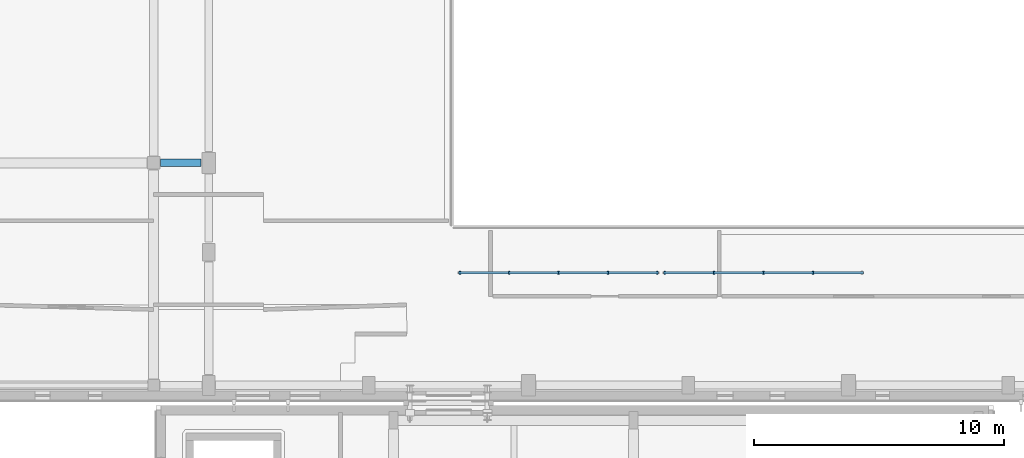
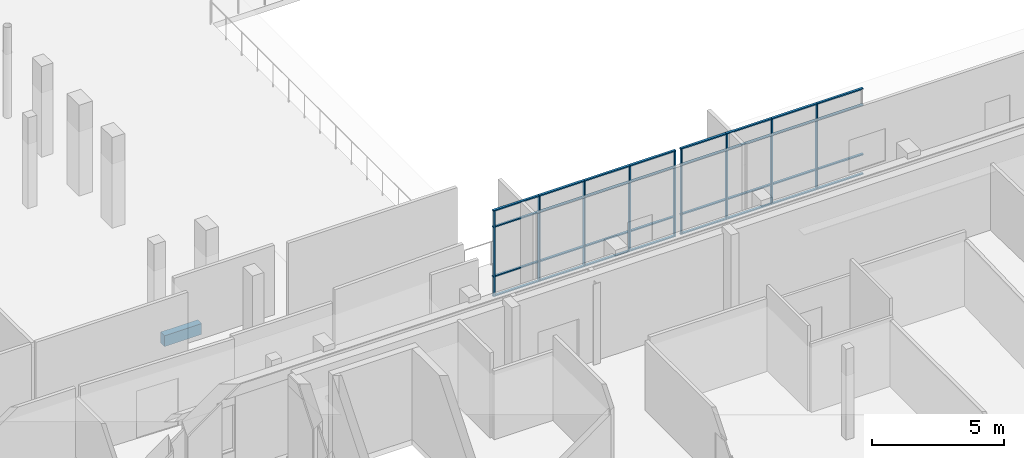
# One storey, part 17 of 84: 41 members, 1 beam, 2 elements without a shape of their own.
"""IFC4 building model written with IfcOpenShell, lengths in metres."""

from ifc_helpers import new_model, si_unit, direction, frame, origin, origin_2d, place, context, subcontext, project, spatial, rectangle, extrude, material, material_profile, profile_set, type_object, element, aggregate, save


model = new_model("IFC4")

# Units and contexts
model_context = context("Model", 3, precision=1e-05, world=origin(), true_north=direction((0.0, 1.0)))
body_context = subcontext(model_context, "Body", "Model", "MODEL_VIEW")
ifc_project = project(units=[si_unit("LENGTHUNIT", "METRE"), si_unit("AREAUNIT", "SQUARE_METRE"), si_unit("VOLUMEUNIT", "CUBIC_METRE"), si_unit("PLANEANGLEUNIT", "RADIAN"), si_unit("MASSUNIT", "GRAM", prefix="KILO")], contexts=[model_context])

# Site, building, storey
site_placement = place(None, origin())
site = spatial("IfcSite", under=ifc_project, at=site_placement, CompositionType="ELEMENT")
building_placement = place(site_placement, origin())
building = spatial("IfcBuilding", under=site, at=building_placement, Name="Mzevani Central Library", CompositionType="ELEMENT")
storey_placement = place(building_placement, frame((0.0, 0.0, 5.39990234375)))
storey = spatial("IfcBuildingStorey", under=building, at=storey_placement, Name="L01", CompositionType="ELEMENT", Elevation=5.39990234375)

# Beam
ifc_material_1 = material(Name="Concrete C35/45", Category="concrete")
ifc_material_profile_1 = material_profile(ifc_material_1, rectangle(XDim=0.300048828125, YDim=0.5, at=origin_2d()), Name="RC B300x500")
ifc_profile_set_1 = profile_set([ifc_material_profile_1], Name="Concrete C35/45")
beam_type = type_object("IfcBeamType", Name="Beam RC 300x500", PredefinedType="BEAM", material=ifc_profile_set_1)
beam_placement = place(storey_placement, frame((112.27490234375, 52.0, -0.510009765625), z_axis=(1.0, 0.0, 0.0), x_axis=(0.0, 1.0, 0.0)))
element("IfcBeam", 1, at=beam_placement, inside=storey, type_object=beam_type, Name="L01 V1 Girder B-01 (20)", PredefinedType="BEAM", context=body_context, shape_type="SweptSolid", body=[
    extrude(rectangle(XDim=0.300048828125, YDim=0.5, at=origin_2d()), origin(), (0.0, 0.0, 1.0), 1.625),
])

# Curtain wall, members
ifc_material_2 = material(Name="Thermally broken aluminium and Low-E triple glazing", Category="aluminium")
curtain_wall_type = type_object("IfcCurtainWallType", Name="Interior Atrium Acoustic Glazed Screen", PredefinedType="NOTDEFINED", material=ifc_material_2)
curtain_wall_1_placement = place(storey_placement, origin())
curtain_wall_1 = element("IfcCurtainWall", 2, at=curtain_wall_1_placement, inside=storey, type_object=curtain_wall_type, Name="L01 Atrium Acoustic Overlook Screen 1", PredefinedType="NOTDEFINED")
ifc_material_3 = material(Name="Thermally broken aluminium AW-6060", Category="aluminium")
ifc_material_profile_2 = material_profile(ifc_material_3, rectangle(XDim=0.054931640625, YDim=0.1298828125, at=origin_2d()), Name="ALU M55x130")
ifc_profile_set_2 = profile_set([ifc_material_profile_2], Name="Thermally broken aluminium AW-6060")
member_type_1 = type_object("IfcMemberType", Name="CW Interior Mullion 55x130", PredefinedType="MULLION", material=ifc_profile_set_2)
member_1_placement = place(storey_placement, frame((124.25, 47.60009765625, 0.0), z_axis=(0.0, 0.0, 1.0), x_axis=(1.0, 0.0, 0.0)))
member_1 = element("IfcMember", 3, at=member_1_placement, type_object=member_type_1, Name="L01 Atrium Acoustic Overlook Screen 1 Mullion 1", PredefinedType="MULLION", context=body_context, shape_type="SweptSolid", body=[
    extrude(rectangle(XDim=0.054931640625, YDim=0.1298828125, at=origin_2d()), origin(), (0.0, 0.0, 1.0), 3.940185546875),
])
member_2_placement = place(storey_placement, frame((126.22509765625, 47.60009765625, 0.0), z_axis=(0.0, 0.0, 1.0), x_axis=(1.0, 0.0, 0.0)))
member_2 = element("IfcMember", 4, at=member_2_placement, type_object=member_type_1, Name="L01 Atrium Acoustic Overlook Screen 1 Mullion 2", PredefinedType="MULLION", context=body_context, shape_type="SweptSolid", body=[
    extrude(rectangle(XDim=0.054931640625, YDim=0.1298828125, at=origin_2d()), origin(), (0.0, 0.0, 1.0), 3.940185546875),
])
member_3_placement = place(storey_placement, frame((128.199951171875, 47.60009765625, 0.0), z_axis=(0.0, 0.0, 1.0), x_axis=(1.0, 0.0, 0.0)))
member_3 = element("IfcMember", 5, at=member_3_placement, type_object=member_type_1, Name="L01 Atrium Acoustic Overlook Screen 1 Mullion 3", PredefinedType="MULLION", context=body_context, shape_type="SweptSolid", body=[
    extrude(rectangle(XDim=0.054931640625, YDim=0.1298828125, at=origin_2d()), origin(), (0.0, 0.0, 1.0), 3.940185546875),
])
member_4_placement = place(storey_placement, frame((130.175048828125, 47.60009765625, 0.0), z_axis=(0.0, 0.0, 1.0), x_axis=(1.0, 0.0, 0.0)))
member_4 = element("IfcMember", 6, at=member_4_placement, type_object=member_type_1, Name="L01 Atrium Acoustic Overlook Screen 1 Mullion 4", PredefinedType="MULLION", context=body_context, shape_type="SweptSolid", body=[
    extrude(rectangle(XDim=0.054931640625, YDim=0.1298828125, at=origin_2d()), origin(), (0.0, 0.0, 1.0), 3.940185546875),
])
member_5_placement = place(storey_placement, frame((132.14990234375, 47.60009765625, 0.0), z_axis=(0.0, 0.0, 1.0), x_axis=(1.0, 0.0, 0.0)))
member_5 = element("IfcMember", 7, at=member_5_placement, type_object=member_type_1, Name="L01 Atrium Acoustic Overlook Screen 1 Mullion 5", PredefinedType="MULLION", context=body_context, shape_type="SweptSolid", body=[
    extrude(rectangle(XDim=0.054931640625, YDim=0.1298828125, at=origin_2d()), origin(), (0.0, 0.0, 1.0), 3.940185546875),
])

curtain_wall_2_placement = place(storey_placement, origin())
curtain_wall_2 = element("IfcCurtainWall", 8, at=curtain_wall_2_placement, inside=storey, type_object=curtain_wall_type, Name="L01 Atrium Acoustic Overlook Screen 2", PredefinedType="NOTDEFINED")
member_6_placement = place(storey_placement, frame((132.449951171875, 47.60009765625, 0.0), z_axis=(0.0, 0.0, 1.0), x_axis=(1.0, 0.0, 0.0)))
member_6 = element("IfcMember", 9, at=member_6_placement, type_object=member_type_1, Name="L01 Atrium Acoustic Overlook Screen 2 Mullion 1", PredefinedType="MULLION", context=body_context, shape_type="SweptSolid", body=[
    extrude(rectangle(XDim=0.054931640625, YDim=0.1298828125, at=origin_2d()), origin(), (0.0, 0.0, 1.0), 3.940185546875),
])
member_7_placement = place(storey_placement, frame((134.425048828125, 47.60009765625, 0.0), z_axis=(0.0, 0.0, 1.0), x_axis=(1.0, 0.0, 0.0)))
member_7 = element("IfcMember", 10, at=member_7_placement, type_object=member_type_1, Name="L01 Atrium Acoustic Overlook Screen 2 Mullion 2", PredefinedType="MULLION", context=body_context, shape_type="SweptSolid", body=[
    extrude(rectangle(XDim=0.054931640625, YDim=0.1298828125, at=origin_2d()), origin(), (0.0, 0.0, 1.0), 3.940185546875),
])
member_8_placement = place(storey_placement, frame((136.39990234375, 47.60009765625, 0.0), z_axis=(0.0, 0.0, 1.0), x_axis=(1.0, 0.0, 0.0)))
member_8 = element("IfcMember", 11, at=member_8_placement, type_object=member_type_1, Name="L01 Atrium Acoustic Overlook Screen 2 Mullion 3", PredefinedType="MULLION", context=body_context, shape_type="SweptSolid", body=[
    extrude(rectangle(XDim=0.054931640625, YDim=0.1298828125, at=origin_2d()), origin(), (0.0, 0.0, 1.0), 3.940185546875),
])
member_9_placement = place(storey_placement, frame((138.375, 47.60009765625, 0.0), z_axis=(0.0, 0.0, 1.0), x_axis=(1.0, 0.0, 0.0)))
member_9 = element("IfcMember", 12, at=member_9_placement, type_object=member_type_1, Name="L01 Atrium Acoustic Overlook Screen 2 Mullion 4", PredefinedType="MULLION", context=body_context, shape_type="SweptSolid", body=[
    extrude(rectangle(XDim=0.054931640625, YDim=0.1298828125, at=origin_2d()), origin(), (0.0, 0.0, 1.0), 3.940185546875),
])

# Member
ifc_material_profile_3 = material_profile(ifc_material_3, rectangle(XDim=0.10009765625, YDim=0.054931640625, at=origin_2d()), Name="ALU T55x100")
ifc_profile_set_3 = profile_set([ifc_material_profile_3], Name="Thermally broken aluminium AW-6060")
member_type_2 = type_object("IfcMemberType", Name="CW Interior Transom 55x100", PredefinedType="USERDEFINED", material=ifc_profile_set_3)
member_10_placement = place(storey_placement, frame((124.199951171875, 47.60009765625, 0.0), z_axis=(1.0, 0.0, 0.0), x_axis=(0.0, 1.0, 0.0)))
member_10 = element("IfcMember", 13, at=member_10_placement, type_object=member_type_2, Name="L01 Atrium Acoustic Overlook Screen 1 Transom 1", ObjectType="TRANSOM", PredefinedType="USERDEFINED", context=body_context, shape_type="SweptSolid", body=[
    extrude(rectangle(XDim=0.10009765625, YDim=0.054931640625, at=origin_2d()), origin(), (0.0, 0.0, 1.0), 2.0),
])

member_11_placement = place(storey_placement, frame((124.199951171875, 47.60009765625, 0.900146484375), z_axis=(1.0, 0.0, 0.0), x_axis=(0.0, 1.0, 0.0)))
member_11 = element("IfcMember", 14, at=member_11_placement, type_object=member_type_2, Name="L01 Atrium Acoustic Overlook Screen 1 Transom 2", ObjectType="TRANSOM", PredefinedType="USERDEFINED", context=body_context, shape_type="SweptSolid", body=[
    extrude(rectangle(XDim=0.10009765625, YDim=0.054931640625, at=origin_2d()), origin(), (0.0, 0.0, 1.0), 2.0),
])

member_12_placement = place(storey_placement, frame((124.199951171875, 47.60009765625, 3.190185546875), z_axis=(1.0, 0.0, 0.0), x_axis=(0.0, 1.0, 0.0)))
member_12 = element("IfcMember", 15, at=member_12_placement, type_object=member_type_2, Name="L01 Atrium Acoustic Overlook Screen 1 Transom 3", ObjectType="TRANSOM", PredefinedType="USERDEFINED", context=body_context, shape_type="SweptSolid", body=[
    extrude(rectangle(XDim=0.10009765625, YDim=0.054931640625, at=origin_2d()), origin(), (0.0, 0.0, 1.0), 2.0),
])

member_13_placement = place(storey_placement, frame((124.199951171875, 47.60009765625, 3.940185546875), z_axis=(1.0, 0.0, 0.0), x_axis=(0.0, 1.0, 0.0)))
member_13 = element("IfcMember", 16, at=member_13_placement, type_object=member_type_2, Name="L01 Atrium Acoustic Overlook Screen 1 Transom 4", ObjectType="TRANSOM", PredefinedType="USERDEFINED", context=body_context, shape_type="SweptSolid", body=[
    extrude(rectangle(XDim=0.10009765625, YDim=0.054931640625, at=origin_2d()), origin(), (0.0, 0.0, 1.0), 2.0),
])

member_14_placement = place(storey_placement, frame((126.199951171875, 47.60009765625, 0.0), z_axis=(1.0, 0.0, 0.0), x_axis=(0.0, 1.0, 0.0)))
member_14 = element("IfcMember", 17, at=member_14_placement, type_object=member_type_2, Name="L01 Atrium Acoustic Overlook Screen 1 Transom 5", ObjectType="TRANSOM", PredefinedType="USERDEFINED", context=body_context, shape_type="SweptSolid", body=[
    extrude(rectangle(XDim=0.10009765625, YDim=0.054931640625, at=origin_2d()), origin(), (0.0, 0.0, 1.0), 2.0),
])

member_15_placement = place(storey_placement, frame((126.199951171875, 47.60009765625, 0.900146484375), z_axis=(1.0, 0.0, 0.0), x_axis=(0.0, 1.0, 0.0)))
member_15 = element("IfcMember", 18, at=member_15_placement, type_object=member_type_2, Name="L01 Atrium Acoustic Overlook Screen 1 Transom 6", ObjectType="TRANSOM", PredefinedType="USERDEFINED", context=body_context, shape_type="SweptSolid", body=[
    extrude(rectangle(XDim=0.10009765625, YDim=0.054931640625, at=origin_2d()), origin(), (0.0, 0.0, 1.0), 2.0),
])

member_16_placement = place(storey_placement, frame((126.199951171875, 47.60009765625, 3.190185546875), z_axis=(1.0, 0.0, 0.0), x_axis=(0.0, 1.0, 0.0)))
member_16 = element("IfcMember", 19, at=member_16_placement, type_object=member_type_2, Name="L01 Atrium Acoustic Overlook Screen 1 Transom 7", ObjectType="TRANSOM", PredefinedType="USERDEFINED", context=body_context, shape_type="SweptSolid", body=[
    extrude(rectangle(XDim=0.10009765625, YDim=0.054931640625, at=origin_2d()), origin(), (0.0, 0.0, 1.0), 2.0),
])

member_17_placement = place(storey_placement, frame((126.199951171875, 47.60009765625, 3.940185546875), z_axis=(1.0, 0.0, 0.0), x_axis=(0.0, 1.0, 0.0)))
member_17 = element("IfcMember", 20, at=member_17_placement, type_object=member_type_2, Name="L01 Atrium Acoustic Overlook Screen 1 Transom 8", ObjectType="TRANSOM", PredefinedType="USERDEFINED", context=body_context, shape_type="SweptSolid", body=[
    extrude(rectangle(XDim=0.10009765625, YDim=0.054931640625, at=origin_2d()), origin(), (0.0, 0.0, 1.0), 2.0),
])

member_18_placement = place(storey_placement, frame((128.199951171875, 47.60009765625, 0.0), z_axis=(1.0, 0.0, 0.0), x_axis=(0.0, 1.0, 0.0)))
member_18 = element("IfcMember", 21, at=member_18_placement, type_object=member_type_2, Name="L01 Atrium Acoustic Overlook Screen 1 Transom 9", ObjectType="TRANSOM", PredefinedType="USERDEFINED", context=body_context, shape_type="SweptSolid", body=[
    extrude(rectangle(XDim=0.10009765625, YDim=0.054931640625, at=origin_2d()), origin(), (0.0, 0.0, 1.0), 2.0),
])

member_19_placement = place(storey_placement, frame((128.199951171875, 47.60009765625, 0.900146484375), z_axis=(1.0, 0.0, 0.0), x_axis=(0.0, 1.0, 0.0)))
member_19 = element("IfcMember", 22, at=member_19_placement, type_object=member_type_2, Name="L01 Atrium Acoustic Overlook Screen 1 Transom 10", ObjectType="TRANSOM", PredefinedType="USERDEFINED", context=body_context, shape_type="SweptSolid", body=[
    extrude(rectangle(XDim=0.10009765625, YDim=0.054931640625, at=origin_2d()), origin(), (0.0, 0.0, 1.0), 2.0),
])

member_20_placement = place(storey_placement, frame((128.199951171875, 47.60009765625, 3.190185546875), z_axis=(1.0, 0.0, 0.0), x_axis=(0.0, 1.0, 0.0)))
member_20 = element("IfcMember", 23, at=member_20_placement, type_object=member_type_2, Name="L01 Atrium Acoustic Overlook Screen 1 Transom 11", ObjectType="TRANSOM", PredefinedType="USERDEFINED", context=body_context, shape_type="SweptSolid", body=[
    extrude(rectangle(XDim=0.10009765625, YDim=0.054931640625, at=origin_2d()), origin(), (0.0, 0.0, 1.0), 2.0),
])

member_21_placement = place(storey_placement, frame((128.199951171875, 47.60009765625, 3.940185546875), z_axis=(1.0, 0.0, 0.0), x_axis=(0.0, 1.0, 0.0)))
member_21 = element("IfcMember", 24, at=member_21_placement, type_object=member_type_2, Name="L01 Atrium Acoustic Overlook Screen 1 Transom 12", ObjectType="TRANSOM", PredefinedType="USERDEFINED", context=body_context, shape_type="SweptSolid", body=[
    extrude(rectangle(XDim=0.10009765625, YDim=0.054931640625, at=origin_2d()), origin(), (0.0, 0.0, 1.0), 2.0),
])

member_22_placement = place(storey_placement, frame((130.199951171875, 47.60009765625, 0.0), z_axis=(1.0, 0.0, 0.0), x_axis=(0.0, 1.0, 0.0)))
member_22 = element("IfcMember", 25, at=member_22_placement, type_object=member_type_2, Name="L01 Atrium Acoustic Overlook Screen 1 Transom 13", ObjectType="TRANSOM", PredefinedType="USERDEFINED", context=body_context, shape_type="SweptSolid", body=[
    extrude(rectangle(XDim=0.10009765625, YDim=0.054931640625, at=origin_2d()), origin(), (0.0, 0.0, 1.0), 2.0),
])

member_23_placement = place(storey_placement, frame((130.199951171875, 47.60009765625, 0.900146484375), z_axis=(1.0, 0.0, 0.0), x_axis=(0.0, 1.0, 0.0)))
member_23 = element("IfcMember", 26, at=member_23_placement, type_object=member_type_2, Name="L01 Atrium Acoustic Overlook Screen 1 Transom 14", ObjectType="TRANSOM", PredefinedType="USERDEFINED", context=body_context, shape_type="SweptSolid", body=[
    extrude(rectangle(XDim=0.10009765625, YDim=0.054931640625, at=origin_2d()), origin(), (0.0, 0.0, 1.0), 2.0),
])

member_24_placement = place(storey_placement, frame((130.199951171875, 47.60009765625, 3.190185546875), z_axis=(1.0, 0.0, 0.0), x_axis=(0.0, 1.0, 0.0)))
member_24 = element("IfcMember", 27, at=member_24_placement, type_object=member_type_2, Name="L01 Atrium Acoustic Overlook Screen 1 Transom 15", ObjectType="TRANSOM", PredefinedType="USERDEFINED", context=body_context, shape_type="SweptSolid", body=[
    extrude(rectangle(XDim=0.10009765625, YDim=0.054931640625, at=origin_2d()), origin(), (0.0, 0.0, 1.0), 2.0),
])

member_25_placement = place(storey_placement, frame((130.199951171875, 47.60009765625, 3.940185546875), z_axis=(1.0, 0.0, 0.0), x_axis=(0.0, 1.0, 0.0)))
member_25 = element("IfcMember", 28, at=member_25_placement, type_object=member_type_2, Name="L01 Atrium Acoustic Overlook Screen 1 Transom 16", ObjectType="TRANSOM", PredefinedType="USERDEFINED", context=body_context, shape_type="SweptSolid", body=[
    extrude(rectangle(XDim=0.10009765625, YDim=0.054931640625, at=origin_2d()), origin(), (0.0, 0.0, 1.0), 2.0),
])

aggregate(curtain_wall_1, [member_1, member_2, member_3, member_4, member_5, member_10, member_11, member_12, member_13, member_14, member_15, member_16, member_17, member_18, member_19, member_20, member_21, member_22, member_23, member_24, member_25])

member_26_placement = place(storey_placement, frame((132.39990234375, 47.60009765625, 0.0), z_axis=(1.0, 0.0, 0.0), x_axis=(0.0, 1.0, 0.0)))
member_26 = element("IfcMember", 29, at=member_26_placement, type_object=member_type_2, Name="L01 Atrium Acoustic Overlook Screen 2 Transom 1", ObjectType="TRANSOM", PredefinedType="USERDEFINED", context=body_context, shape_type="SweptSolid", body=[
    extrude(rectangle(XDim=0.10009765625, YDim=0.054931640625, at=origin_2d()), origin(), (0.0, 0.0, 1.0), 2.0),
])

member_27_placement = place(storey_placement, frame((132.39990234375, 47.60009765625, 0.900146484375), z_axis=(1.0, 0.0, 0.0), x_axis=(0.0, 1.0, 0.0)))
member_27 = element("IfcMember", 30, at=member_27_placement, type_object=member_type_2, Name="L01 Atrium Acoustic Overlook Screen 2 Transom 2", ObjectType="TRANSOM", PredefinedType="USERDEFINED", context=body_context, shape_type="SweptSolid", body=[
    extrude(rectangle(XDim=0.10009765625, YDim=0.054931640625, at=origin_2d()), origin(), (0.0, 0.0, 1.0), 2.0),
])

member_28_placement = place(storey_placement, frame((132.39990234375, 47.60009765625, 3.190185546875), z_axis=(1.0, 0.0, 0.0), x_axis=(0.0, 1.0, 0.0)))
member_28 = element("IfcMember", 31, at=member_28_placement, type_object=member_type_2, Name="L01 Atrium Acoustic Overlook Screen 2 Transom 3", ObjectType="TRANSOM", PredefinedType="USERDEFINED", context=body_context, shape_type="SweptSolid", body=[
    extrude(rectangle(XDim=0.10009765625, YDim=0.054931640625, at=origin_2d()), origin(), (0.0, 0.0, 1.0), 2.0),
])

member_29_placement = place(storey_placement, frame((132.39990234375, 47.60009765625, 3.940185546875), z_axis=(1.0, 0.0, 0.0), x_axis=(0.0, 1.0, 0.0)))
member_29 = element("IfcMember", 32, at=member_29_placement, type_object=member_type_2, Name="L01 Atrium Acoustic Overlook Screen 2 Transom 4", ObjectType="TRANSOM", PredefinedType="USERDEFINED", context=body_context, shape_type="SweptSolid", body=[
    extrude(rectangle(XDim=0.10009765625, YDim=0.054931640625, at=origin_2d()), origin(), (0.0, 0.0, 1.0), 2.0),
])

member_30_placement = place(storey_placement, frame((134.39990234375, 47.60009765625, 0.0), z_axis=(1.0, 0.0, 0.0), x_axis=(0.0, 1.0, 0.0)))
member_30 = element("IfcMember", 33, at=member_30_placement, type_object=member_type_2, Name="L01 Atrium Acoustic Overlook Screen 2 Transom 5", ObjectType="TRANSOM", PredefinedType="USERDEFINED", context=body_context, shape_type="SweptSolid", body=[
    extrude(rectangle(XDim=0.10009765625, YDim=0.054931640625, at=origin_2d()), origin(), (0.0, 0.0, 1.0), 2.0),
])

member_31_placement = place(storey_placement, frame((134.39990234375, 47.60009765625, 0.900146484375), z_axis=(1.0, 0.0, 0.0), x_axis=(0.0, 1.0, 0.0)))
member_31 = element("IfcMember", 34, at=member_31_placement, type_object=member_type_2, Name="L01 Atrium Acoustic Overlook Screen 2 Transom 6", ObjectType="TRANSOM", PredefinedType="USERDEFINED", context=body_context, shape_type="SweptSolid", body=[
    extrude(rectangle(XDim=0.10009765625, YDim=0.054931640625, at=origin_2d()), origin(), (0.0, 0.0, 1.0), 2.0),
])

member_32_placement = place(storey_placement, frame((134.39990234375, 47.60009765625, 3.190185546875), z_axis=(1.0, 0.0, 0.0), x_axis=(0.0, 1.0, 0.0)))
member_32 = element("IfcMember", 35, at=member_32_placement, type_object=member_type_2, Name="L01 Atrium Acoustic Overlook Screen 2 Transom 7", ObjectType="TRANSOM", PredefinedType="USERDEFINED", context=body_context, shape_type="SweptSolid", body=[
    extrude(rectangle(XDim=0.10009765625, YDim=0.054931640625, at=origin_2d()), origin(), (0.0, 0.0, 1.0), 2.0),
])

member_33_placement = place(storey_placement, frame((134.39990234375, 47.60009765625, 3.940185546875), z_axis=(1.0, 0.0, 0.0), x_axis=(0.0, 1.0, 0.0)))
member_33 = element("IfcMember", 36, at=member_33_placement, type_object=member_type_2, Name="L01 Atrium Acoustic Overlook Screen 2 Transom 8", ObjectType="TRANSOM", PredefinedType="USERDEFINED", context=body_context, shape_type="SweptSolid", body=[
    extrude(rectangle(XDim=0.10009765625, YDim=0.054931640625, at=origin_2d()), origin(), (0.0, 0.0, 1.0), 2.0),
])

member_34_placement = place(storey_placement, frame((136.39990234375, 47.60009765625, 0.0), z_axis=(1.0, 0.0, 0.0), x_axis=(0.0, 1.0, 0.0)))
member_34 = element("IfcMember", 37, at=member_34_placement, type_object=member_type_2, Name="L01 Atrium Acoustic Overlook Screen 2 Transom 9", ObjectType="TRANSOM", PredefinedType="USERDEFINED", context=body_context, shape_type="SweptSolid", body=[
    extrude(rectangle(XDim=0.10009765625, YDim=0.054931640625, at=origin_2d()), origin(), (0.0, 0.0, 1.0), 2.0),
])

member_35_placement = place(storey_placement, frame((136.39990234375, 47.60009765625, 0.900146484375), z_axis=(1.0, 0.0, 0.0), x_axis=(0.0, 1.0, 0.0)))
member_35 = element("IfcMember", 38, at=member_35_placement, type_object=member_type_2, Name="L01 Atrium Acoustic Overlook Screen 2 Transom 10", ObjectType="TRANSOM", PredefinedType="USERDEFINED", context=body_context, shape_type="SweptSolid", body=[
    extrude(rectangle(XDim=0.10009765625, YDim=0.054931640625, at=origin_2d()), origin(), (0.0, 0.0, 1.0), 2.0),
])

member_36_placement = place(storey_placement, frame((136.39990234375, 47.60009765625, 3.190185546875), z_axis=(1.0, 0.0, 0.0), x_axis=(0.0, 1.0, 0.0)))
member_36 = element("IfcMember", 39, at=member_36_placement, type_object=member_type_2, Name="L01 Atrium Acoustic Overlook Screen 2 Transom 11", ObjectType="TRANSOM", PredefinedType="USERDEFINED", context=body_context, shape_type="SweptSolid", body=[
    extrude(rectangle(XDim=0.10009765625, YDim=0.054931640625, at=origin_2d()), origin(), (0.0, 0.0, 1.0), 2.0),
])

member_37_placement = place(storey_placement, frame((136.39990234375, 47.60009765625, 3.940185546875), z_axis=(1.0, 0.0, 0.0), x_axis=(0.0, 1.0, 0.0)))
member_37 = element("IfcMember", 40, at=member_37_placement, type_object=member_type_2, Name="L01 Atrium Acoustic Overlook Screen 2 Transom 12", ObjectType="TRANSOM", PredefinedType="USERDEFINED", context=body_context, shape_type="SweptSolid", body=[
    extrude(rectangle(XDim=0.10009765625, YDim=0.054931640625, at=origin_2d()), origin(), (0.0, 0.0, 1.0), 2.0),
])

member_38_placement = place(storey_placement, frame((138.39990234375, 47.60009765625, 0.0), z_axis=(1.0, 0.0, 0.0), x_axis=(0.0, 1.0, 0.0)))
member_38 = element("IfcMember", 41, at=member_38_placement, type_object=member_type_2, Name="L01 Atrium Acoustic Overlook Screen 2 Transom 13", ObjectType="TRANSOM", PredefinedType="USERDEFINED", context=body_context, shape_type="SweptSolid", body=[
    extrude(rectangle(XDim=0.10009765625, YDim=0.054931640625, at=origin_2d()), origin(), (0.0, 0.0, 1.0), 2.0),
])

member_39_placement = place(storey_placement, frame((138.39990234375, 47.60009765625, 0.900146484375), z_axis=(1.0, 0.0, 0.0), x_axis=(0.0, 1.0, 0.0)))
member_39 = element("IfcMember", 42, at=member_39_placement, type_object=member_type_2, Name="L01 Atrium Acoustic Overlook Screen 2 Transom 14", ObjectType="TRANSOM", PredefinedType="USERDEFINED", context=body_context, shape_type="SweptSolid", body=[
    extrude(rectangle(XDim=0.10009765625, YDim=0.054931640625, at=origin_2d()), origin(), (0.0, 0.0, 1.0), 2.0),
])

member_40_placement = place(storey_placement, frame((138.39990234375, 47.60009765625, 3.190185546875), z_axis=(1.0, 0.0, 0.0), x_axis=(0.0, 1.0, 0.0)))
member_40 = element("IfcMember", 43, at=member_40_placement, type_object=member_type_2, Name="L01 Atrium Acoustic Overlook Screen 2 Transom 15", ObjectType="TRANSOM", PredefinedType="USERDEFINED", context=body_context, shape_type="SweptSolid", body=[
    extrude(rectangle(XDim=0.10009765625, YDim=0.054931640625, at=origin_2d()), origin(), (0.0, 0.0, 1.0), 2.0),
])

member_41_placement = place(storey_placement, frame((138.39990234375, 47.60009765625, 3.940185546875), z_axis=(1.0, 0.0, 0.0), x_axis=(0.0, 1.0, 0.0)))
member_41 = element("IfcMember", 44, at=member_41_placement, type_object=member_type_2, Name="L01 Atrium Acoustic Overlook Screen 2 Transom 16", ObjectType="TRANSOM", PredefinedType="USERDEFINED", context=body_context, shape_type="SweptSolid", body=[
    extrude(rectangle(XDim=0.10009765625, YDim=0.054931640625, at=origin_2d()), origin(), (0.0, 0.0, 1.0), 2.0),
])

aggregate(curtain_wall_2, [member_6, member_7, member_8, member_9, member_26, member_27, member_28, member_29, member_30, member_31, member_32, member_33, member_34, member_35, member_36, member_37, member_38, member_39, member_40, member_41])

save(model, "model.ifc")
